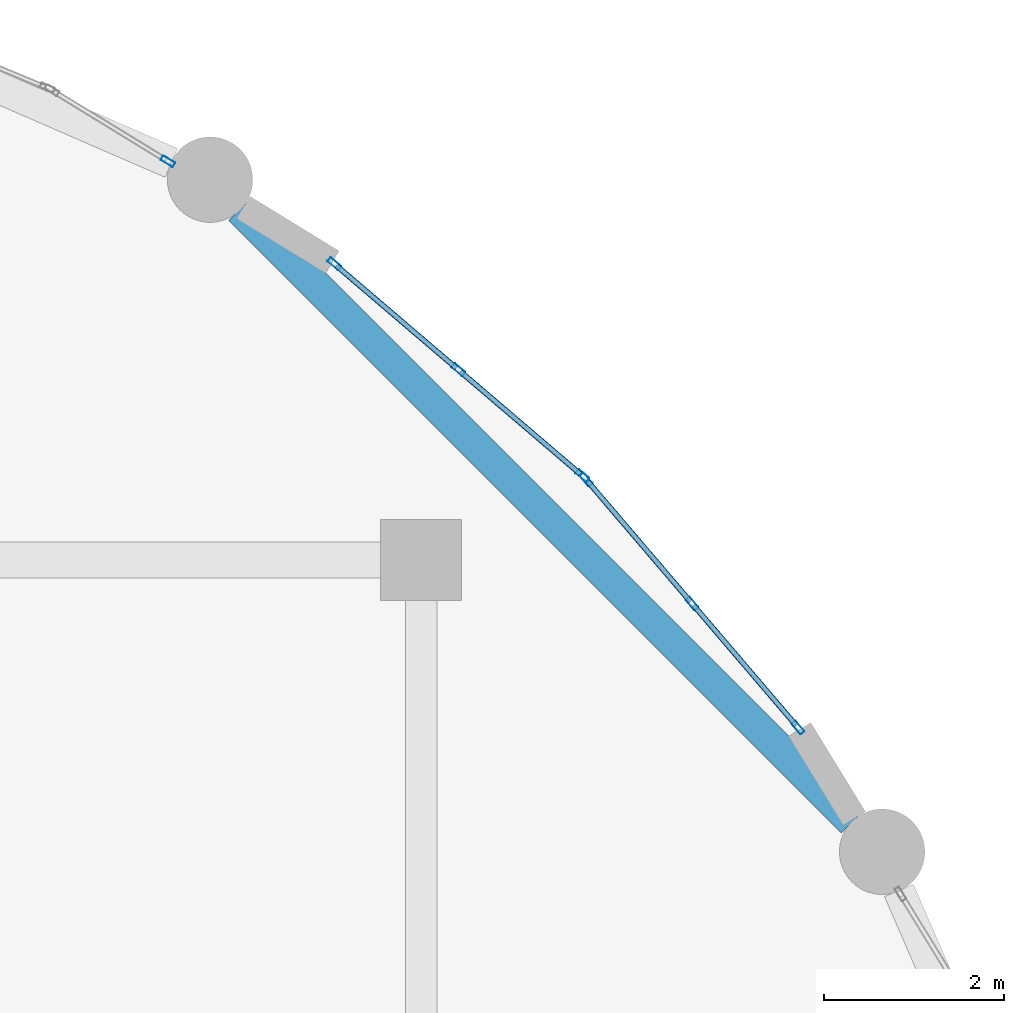
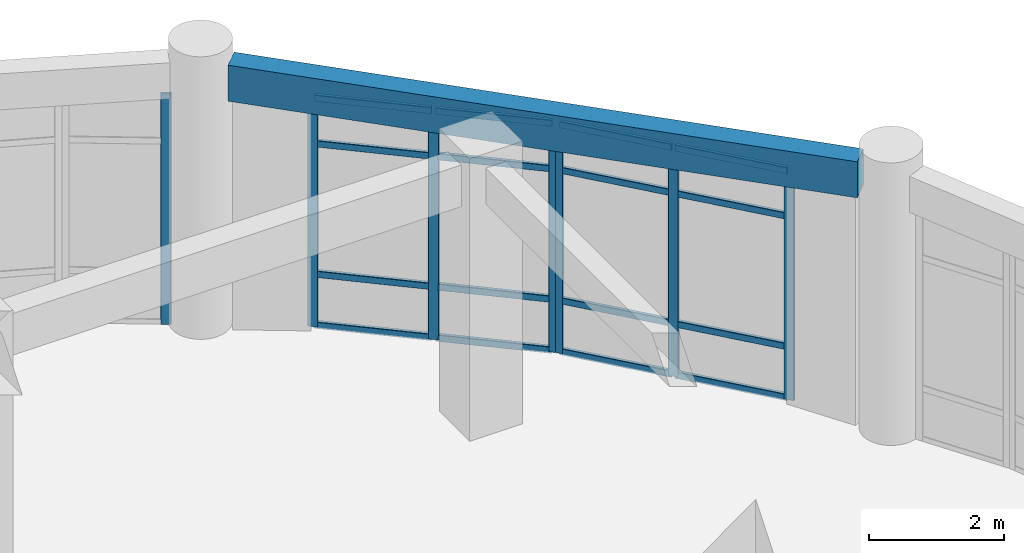
# One storey, part 82 of 120: 23 members, 1 beam, 3 elements without a shape of their own.
"""IFC4 building model written with IfcOpenShell, lengths in metres."""

from ifc_helpers import new_model, si_unit, derived_unit, direction, frame, origin, origin_2d, place, context, subcontext, project, spatial, rectangle, hollow_rectangle, extrude, material, layer, layer_set, material_profile, profile_set, type_object, element, aggregate, save


model = new_model("IFC4")

# Units and contexts
model_context = context("Model", 3, precision=1e-05, world=origin(), true_north=direction((0.0, 1.0)))
body_context = subcontext(model_context, "Body", "Model", "MODEL_VIEW")
ifc_project = project(units=[si_unit("LENGTHUNIT", "METRE"), si_unit("AREAUNIT", "SQUARE_METRE"), si_unit("VOLUMEUNIT", "CUBIC_METRE"), si_unit("PLANEANGLEUNIT", "RADIAN"), si_unit("MASSUNIT", "GRAM", prefix="KILO"), derived_unit("THERMALTRANSMITTANCEUNIT", [(si_unit("MASSUNIT", "GRAM", prefix="KILO"), 1), (si_unit("TIMEUNIT", "SECOND"), -3), (si_unit("THERMODYNAMICTEMPERATUREUNIT", "KELVIN"), -1)])], contexts=[model_context])

# Site, building, storey
site_placement = place(None, origin())
site = spatial("IfcSite", under=ifc_project, at=site_placement, CompositionType="ELEMENT")
building_placement = place(site_placement, origin())
building = spatial("IfcBuilding", under=site, at=building_placement, Name="Qinzheling Arcade Emporium", CompositionType="ELEMENT")
storey_placement = place(building_placement, frame((0.0, 0.0, 11.39990234375)))
storey = spatial("IfcBuildingStorey", under=building, at=storey_placement, Name="L03", CompositionType="ELEMENT", Elevation=11.39990234375)

# Curtain wall, member
ifc_material_1 = material(Name="Anodised aluminium and solar-control double glazing", Category="aluminium")
ifc_layer = layer(ifc_material_1, 0.159912109375, Name="Anodised aluminium and solar-control double glazing", Category="aluminium")
ifc_layer_set = layer_set([ifc_layer], Name="Anodised aluminium and solar-control double glazing")
curtain_wall_type = type_object("IfcCurtainWallType", Name="Curved Ribbon Sales Curtain Wall", PredefinedType="NOTDEFINED", material=ifc_layer_set)
curtain_wall_1_placement = place(storey_placement, origin())
curtain_wall_1 = element("IfcCurtainWall", 1, at=curtain_wall_1_placement, inside=storey, type_object=curtain_wall_type, Name="Curtain Wall CW-L03-185", PredefinedType="NOTDEFINED")
ifc_material_2 = material(Name="Anodised aluminium 6063-T6", Category="aluminium")
ifc_material_profile_1 = material_profile(ifc_material_2, hollow_rectangle(XDim=0.06005859375, YDim=0.159912109375, WallThickness=0.00390625, InnerFilletRadius=0.00390625, OuterFilletRadius=0.008056640625, at=origin_2d()), Name="RHS 160x60x4", Category="aluminium")
ifc_profile_set_1 = profile_set([ifc_material_profile_1], Name="Anodised aluminium 6063-T6")
member_type_1 = type_object("IfcMemberType", Name="Curtain Wall Mullion RHS160x60", PredefinedType="MULLION", material=ifc_profile_set_1)
member_1_placement = place(storey_placement, frame((136.38330078125, 111.233642578125, 0.0), z_axis=(0.0, 0.0, 1.0), x_axis=(0.522427757689, 0.852683550912, 0.0)))
member_1 = element("IfcMember", 2, at=member_1_placement, type_object=member_type_1, Name="CW02 mullion 2", PredefinedType="MULLION", context=body_context, shape_type="SweptSolid", body=[
    extrude(hollow_rectangle(XDim=0.06005859375, YDim=0.159912109375, WallThickness=0.00390625, InnerFilletRadius=0.00390625, OuterFilletRadius=0.008056640625, at=origin_2d()), origin(), (0.0, 0.0, 1.0), 4.155029296875),
])
aggregate(curtain_wall_1, [member_1])

# Curtain wall, members
curtain_wall_2_placement = place(storey_placement, origin())
curtain_wall_2 = element("IfcCurtainWall", 3, at=curtain_wall_2_placement, inside=storey, type_object=curtain_wall_type, Name="Curtain Wall CW-L03-186", PredefinedType="NOTDEFINED")
member_2_placement = place(storey_placement, frame((138.23583984375, 110.092529296875, 0.0), z_axis=(0.0, 0.0, 1.0), x_axis=(0.649472784461, 0.760384838253, 0.0)))
member_2 = element("IfcMember", 4, at=member_2_placement, type_object=member_type_1, Name="CW02 mullion 1", PredefinedType="MULLION", context=body_context, shape_type="SweptSolid", body=[
    extrude(hollow_rectangle(XDim=0.06005859375, YDim=0.159912109375, WallThickness=0.00390625, InnerFilletRadius=0.00390625, OuterFilletRadius=0.008056640625, at=origin_2d()), origin(), (0.0, 0.0, 1.0), 4.155029296875),
])
member_3_placement = place(storey_placement, frame((139.614990234375, 108.91455078125, 0.0), z_axis=(0.0, 0.0, 1.0), x_axis=(0.649472784461, 0.760384838253, 0.0)))
member_3 = element("IfcMember", 5, at=member_3_placement, type_object=member_type_1, Name="CW02 mullion 2", PredefinedType="MULLION", context=body_context, shape_type="SweptSolid", body=[
    extrude(hollow_rectangle(XDim=0.06005859375, YDim=0.159912109375, WallThickness=0.00390625, InnerFilletRadius=0.00390625, OuterFilletRadius=0.008056640625, at=origin_2d()), origin(), (0.0, 0.0, 1.0), 4.155029296875),
])
member_4_placement = place(storey_placement, frame((140.994140625, 107.736572265625, 0.0), z_axis=(0.0, 0.0, 1.0), x_axis=(0.649472784461, 0.760384838253, 0.0)))
member_4 = element("IfcMember", 6, at=member_4_placement, type_object=member_type_1, Name="CW02 mullion 3", PredefinedType="MULLION", context=body_context, shape_type="SweptSolid", body=[
    extrude(hollow_rectangle(XDim=0.06005859375, YDim=0.159912109375, WallThickness=0.00390625, InnerFilletRadius=0.00390625, OuterFilletRadius=0.008056640625, at=origin_2d()), origin(), (0.0, 0.0, 1.0), 4.155029296875),
])

curtain_wall_3_placement = place(storey_placement, origin())
curtain_wall_3 = element("IfcCurtainWall", 7, at=curtain_wall_3_placement, inside=storey, type_object=curtain_wall_type, Name="Curtain Wall CW-L03-187", PredefinedType="NOTDEFINED")
member_5_placement = place(storey_placement, frame((141.036376953125, 107.694091796875, 0.0), z_axis=(0.0, 0.0, 1.0), x_axis=(0.760384838253, 0.649472784461, 0.0)))
member_5 = element("IfcMember", 8, at=member_5_placement, type_object=member_type_1, Name="CW02 mullion 1", PredefinedType="MULLION", context=body_context, shape_type="SweptSolid", body=[
    extrude(hollow_rectangle(XDim=0.06005859375, YDim=0.159912109375, WallThickness=0.00390625, InnerFilletRadius=0.00390625, OuterFilletRadius=0.008056640625, at=origin_2d()), origin(), (0.0, 0.0, 1.0), 4.155029296875),
])
member_6_placement = place(storey_placement, frame((142.214599609375, 106.31494140625, 0.0), z_axis=(0.0, 0.0, 1.0), x_axis=(0.760384838253, 0.649472784461, 0.0)))
member_6 = element("IfcMember", 9, at=member_6_placement, type_object=member_type_1, Name="CW02 mullion 2", PredefinedType="MULLION", context=body_context, shape_type="SweptSolid", body=[
    extrude(hollow_rectangle(XDim=0.06005859375, YDim=0.159912109375, WallThickness=0.00390625, InnerFilletRadius=0.00390625, OuterFilletRadius=0.008056640625, at=origin_2d()), origin(), (0.0, 0.0, 1.0), 4.155029296875),
])
member_7_placement = place(storey_placement, frame((143.392578125, 104.935791015625, 0.0), z_axis=(0.0, 0.0, 1.0), x_axis=(0.760384838253, 0.649472784461, 0.0)))
member_7 = element("IfcMember", 10, at=member_7_placement, type_object=member_type_1, Name="CW02 mullion 3", PredefinedType="MULLION", context=body_context, shape_type="SweptSolid", body=[
    extrude(hollow_rectangle(XDim=0.06005859375, YDim=0.159912109375, WallThickness=0.00390625, InnerFilletRadius=0.00390625, OuterFilletRadius=0.008056640625, at=origin_2d()), origin(), (0.0, 0.0, 1.0), 4.155029296875),
])

# Member
ifc_material_profile_2 = material_profile(ifc_material_2, hollow_rectangle(XDim=0.06005859375, YDim=0.1201171875, WallThickness=0.00390625, InnerFilletRadius=0.00390625, OuterFilletRadius=0.008056640625, at=origin_2d()), Name="RHS 120x60x4", Category="aluminium")
ifc_profile_set_2 = profile_set([ifc_material_profile_2], Name="Anodised aluminium 6063-T6")
member_type_2 = type_object("IfcMemberType", Name="Curtain Wall Transom RHS120x60", PredefinedType="USERDEFINED", material=ifc_profile_set_2)
member_8_placement = place(storey_placement, frame((138.258544921875, 110.072998046875, 0.030029296875), z_axis=(0.760463899303, -0.649380210552, 0.0), x_axis=(0.649380210552, 0.760463899303, 0.0)))
member_8 = element("IfcMember", 11, at=member_8_placement, type_object=member_type_2, Name="CW02 transom 1.1", ObjectType="TRANSOM", PredefinedType="USERDEFINED", context=body_context, shape_type="SweptSolid", body=[
    extrude(hollow_rectangle(XDim=0.06005859375, YDim=0.1201171875, WallThickness=0.00390625, InnerFilletRadius=0.00390625, OuterFilletRadius=0.008056640625, at=origin_2d()), origin(), (0.0, 0.0, 1.0), 1.75390625),
])

member_9_placement = place(storey_placement, frame((138.258544921875, 110.072998046875, 0.9501953125), z_axis=(0.760463899303, -0.649380210552, 0.0), x_axis=(0.649380210552, 0.760463899303, 0.0)))
member_9 = element("IfcMember", 12, at=member_9_placement, type_object=member_type_2, Name="CW02 transom 1.2", ObjectType="TRANSOM", PredefinedType="USERDEFINED", context=body_context, shape_type="SweptSolid", body=[
    extrude(hollow_rectangle(XDim=0.06005859375, YDim=0.1201171875, WallThickness=0.00390625, InnerFilletRadius=0.00390625, OuterFilletRadius=0.008056640625, at=origin_2d()), origin(), (0.0, 0.0, 1.0), 1.75390625),
])

member_10_placement = place(storey_placement, frame((138.258544921875, 110.072998046875, 3.30517578125), z_axis=(0.760463899303, -0.649380210552, 0.0), x_axis=(0.649380210552, 0.760463899303, 0.0)))
member_10 = element("IfcMember", 13, at=member_10_placement, type_object=member_type_2, Name="CW02 transom 1.3", ObjectType="TRANSOM", PredefinedType="USERDEFINED", context=body_context, shape_type="SweptSolid", body=[
    extrude(hollow_rectangle(XDim=0.06005859375, YDim=0.1201171875, WallThickness=0.00390625, InnerFilletRadius=0.00390625, OuterFilletRadius=0.008056640625, at=origin_2d()), origin(), (0.0, 0.0, 1.0), 1.75390625),
])

member_11_placement = place(storey_placement, frame((138.258544921875, 110.072998046875, 4.125), z_axis=(0.760463899303, -0.649380210552, 0.0), x_axis=(0.649380210552, 0.760463899303, 0.0)))
member_11 = element("IfcMember", 14, at=member_11_placement, type_object=member_type_2, Name="CW02 transom 1.4", ObjectType="TRANSOM", PredefinedType="USERDEFINED", context=body_context, shape_type="SweptSolid", body=[
    extrude(hollow_rectangle(XDim=0.06005859375, YDim=0.1201171875, WallThickness=0.00390625, InnerFilletRadius=0.00390625, OuterFilletRadius=0.008056640625, at=origin_2d()), origin(), (0.0, 0.0, 1.0), 1.75390625),
])

member_12_placement = place(storey_placement, frame((139.6376953125, 108.89501953125, 0.030029296875), z_axis=(0.760395158799, -0.649460701255, 0.0), x_axis=(0.649460701255, 0.760395158799, 0.0)))
member_12 = element("IfcMember", 15, at=member_12_placement, type_object=member_type_2, Name="CW02 transom 2.1", ObjectType="TRANSOM", PredefinedType="USERDEFINED", context=body_context, shape_type="SweptSolid", body=[
    extrude(hollow_rectangle(XDim=0.06005859375, YDim=0.1201171875, WallThickness=0.00390625, InnerFilletRadius=0.00390625, OuterFilletRadius=0.008056640625, at=origin_2d()), origin(), (0.0, 0.0, 1.0), 1.75390625),
])

member_13_placement = place(storey_placement, frame((139.6376953125, 108.89501953125, 0.9501953125), z_axis=(0.760395158799, -0.649460701255, 0.0), x_axis=(0.649460701255, 0.760395158799, 0.0)))
member_13 = element("IfcMember", 16, at=member_13_placement, type_object=member_type_2, Name="CW02 transom 2.2", ObjectType="TRANSOM", PredefinedType="USERDEFINED", context=body_context, shape_type="SweptSolid", body=[
    extrude(hollow_rectangle(XDim=0.06005859375, YDim=0.1201171875, WallThickness=0.00390625, InnerFilletRadius=0.00390625, OuterFilletRadius=0.008056640625, at=origin_2d()), origin(), (0.0, 0.0, 1.0), 1.75390625),
])

member_14_placement = place(storey_placement, frame((139.6376953125, 108.89501953125, 3.30517578125), z_axis=(0.760395158799, -0.649460701255, 0.0), x_axis=(0.649460701255, 0.760395158799, 0.0)))
member_14 = element("IfcMember", 17, at=member_14_placement, type_object=member_type_2, Name="CW02 transom 2.3", ObjectType="TRANSOM", PredefinedType="USERDEFINED", context=body_context, shape_type="SweptSolid", body=[
    extrude(hollow_rectangle(XDim=0.06005859375, YDim=0.1201171875, WallThickness=0.00390625, InnerFilletRadius=0.00390625, OuterFilletRadius=0.008056640625, at=origin_2d()), origin(), (0.0, 0.0, 1.0), 1.75390625),
])

member_15_placement = place(storey_placement, frame((139.6376953125, 108.89501953125, 4.125), z_axis=(0.760395158799, -0.649460701255, 0.0), x_axis=(0.649460701255, 0.760395158799, 0.0)))
member_15 = element("IfcMember", 18, at=member_15_placement, type_object=member_type_2, Name="CW02 transom 2.4", ObjectType="TRANSOM", PredefinedType="USERDEFINED", context=body_context, shape_type="SweptSolid", body=[
    extrude(hollow_rectangle(XDim=0.06005859375, YDim=0.1201171875, WallThickness=0.00390625, InnerFilletRadius=0.00390625, OuterFilletRadius=0.008056640625, at=origin_2d()), origin(), (0.0, 0.0, 1.0), 1.75390625),
])

aggregate(curtain_wall_2, [member_2, member_3, member_4, member_8, member_9, member_10, member_11, member_12, member_13, member_14, member_15])

member_16_placement = place(storey_placement, frame((141.055908203125, 107.67138671875, 0.030029296875), z_axis=(0.649529444426, -0.760336439232, 0.0), x_axis=(0.760336439232, 0.649529444426, 0.0)))
member_16 = element("IfcMember", 19, at=member_16_placement, type_object=member_type_2, Name="CW02 transom 1.1", ObjectType="TRANSOM", PredefinedType="USERDEFINED", context=body_context, shape_type="SweptSolid", body=[
    extrude(hollow_rectangle(XDim=0.06005859375, YDim=0.1201171875, WallThickness=0.00390625, InnerFilletRadius=0.00390625, OuterFilletRadius=0.008056640625, at=origin_2d()), origin(), (0.0, 0.0, 1.0), 1.75390625),
])

member_17_placement = place(storey_placement, frame((141.055908203125, 107.67138671875, 0.9501953125), z_axis=(0.649529444426, -0.760336439232, 0.0), x_axis=(0.760336439232, 0.649529444426, 0.0)))
member_17 = element("IfcMember", 20, at=member_17_placement, type_object=member_type_2, Name="CW02 transom 1.2", ObjectType="TRANSOM", PredefinedType="USERDEFINED", context=body_context, shape_type="SweptSolid", body=[
    extrude(hollow_rectangle(XDim=0.06005859375, YDim=0.1201171875, WallThickness=0.00390625, InnerFilletRadius=0.00390625, OuterFilletRadius=0.008056640625, at=origin_2d()), origin(), (0.0, 0.0, 1.0), 1.75390625),
])

member_18_placement = place(storey_placement, frame((141.055908203125, 107.67138671875, 3.30517578125), z_axis=(0.649529444426, -0.760336439232, 0.0), x_axis=(0.760336439232, 0.649529444426, 0.0)))
member_18 = element("IfcMember", 21, at=member_18_placement, type_object=member_type_2, Name="CW02 transom 1.3", ObjectType="TRANSOM", PredefinedType="USERDEFINED", context=body_context, shape_type="SweptSolid", body=[
    extrude(hollow_rectangle(XDim=0.06005859375, YDim=0.1201171875, WallThickness=0.00390625, InnerFilletRadius=0.00390625, OuterFilletRadius=0.008056640625, at=origin_2d()), origin(), (0.0, 0.0, 1.0), 1.75390625),
])

member_19_placement = place(storey_placement, frame((141.055908203125, 107.67138671875, 4.125), z_axis=(0.649529444426, -0.760336439232, 0.0), x_axis=(0.760336439232, 0.649529444426, 0.0)))
member_19 = element("IfcMember", 22, at=member_19_placement, type_object=member_type_2, Name="CW02 transom 1.4", ObjectType="TRANSOM", PredefinedType="USERDEFINED", context=body_context, shape_type="SweptSolid", body=[
    extrude(hollow_rectangle(XDim=0.06005859375, YDim=0.1201171875, WallThickness=0.00390625, InnerFilletRadius=0.00390625, OuterFilletRadius=0.008056640625, at=origin_2d()), origin(), (0.0, 0.0, 1.0), 1.75390625),
])

member_20_placement = place(storey_placement, frame((142.23388671875, 106.292236328125, 0.030029296875), z_axis=(0.649529444426, -0.760336439232, 0.0), x_axis=(0.760336439232, 0.649529444426, 0.0)))
member_20 = element("IfcMember", 23, at=member_20_placement, type_object=member_type_2, Name="CW02 transom 2.1", ObjectType="TRANSOM", PredefinedType="USERDEFINED", context=body_context, shape_type="SweptSolid", body=[
    extrude(hollow_rectangle(XDim=0.06005859375, YDim=0.1201171875, WallThickness=0.00390625, InnerFilletRadius=0.00390625, OuterFilletRadius=0.008056640625, at=origin_2d()), origin(), (0.0, 0.0, 1.0), 1.75390625),
])

member_21_placement = place(storey_placement, frame((142.23388671875, 106.292236328125, 0.9501953125), z_axis=(0.649529444426, -0.760336439232, 0.0), x_axis=(0.760336439232, 0.649529444426, 0.0)))
member_21 = element("IfcMember", 24, at=member_21_placement, type_object=member_type_2, Name="CW02 transom 2.2", ObjectType="TRANSOM", PredefinedType="USERDEFINED", context=body_context, shape_type="SweptSolid", body=[
    extrude(hollow_rectangle(XDim=0.06005859375, YDim=0.1201171875, WallThickness=0.00390625, InnerFilletRadius=0.00390625, OuterFilletRadius=0.008056640625, at=origin_2d()), origin(), (0.0, 0.0, 1.0), 1.75390625),
])

member_22_placement = place(storey_placement, frame((142.23388671875, 106.292236328125, 3.30517578125), z_axis=(0.649529444426, -0.760336439232, 0.0), x_axis=(0.760336439232, 0.649529444426, 0.0)))
member_22 = element("IfcMember", 25, at=member_22_placement, type_object=member_type_2, Name="CW02 transom 2.3", ObjectType="TRANSOM", PredefinedType="USERDEFINED", context=body_context, shape_type="SweptSolid", body=[
    extrude(hollow_rectangle(XDim=0.06005859375, YDim=0.1201171875, WallThickness=0.00390625, InnerFilletRadius=0.00390625, OuterFilletRadius=0.008056640625, at=origin_2d()), origin(), (0.0, 0.0, 1.0), 1.75390625),
])

member_23_placement = place(storey_placement, frame((142.23388671875, 106.292236328125, 4.125), z_axis=(0.649529444426, -0.760336439232, 0.0), x_axis=(0.760336439232, 0.649529444426, 0.0)))
member_23 = element("IfcMember", 26, at=member_23_placement, type_object=member_type_2, Name="CW02 transom 2.4", ObjectType="TRANSOM", PredefinedType="USERDEFINED", context=body_context, shape_type="SweptSolid", body=[
    extrude(hollow_rectangle(XDim=0.06005859375, YDim=0.1201171875, WallThickness=0.00390625, InnerFilletRadius=0.00390625, OuterFilletRadius=0.008056640625, at=origin_2d()), origin(), (0.0, 0.0, 1.0), 1.75390625),
])

aggregate(curtain_wall_3, [member_5, member_6, member_7, member_16, member_17, member_18, member_19, member_20, member_21, member_22, member_23])

# Beam
ifc_material_3 = material(Name="Concrete C40", Category="concrete")
ifc_material_profile_3 = material_profile(ifc_material_3, rectangle(XDim=0.35009765625, YDim=0.64990234375, at=origin_2d()), Name="RC 350x650", Category="concrete")
ifc_profile_set_3 = profile_set([ifc_material_profile_3], Name="Concrete C40")
beam_type = type_object("IfcBeamType", Name="RC Spandrel Edge Beam 350x650 C40", PredefinedType="SPANDREL", material=ifc_profile_set_3)
beam_placement = place(storey_placement, frame((143.9970703125, 103.885009765625, 4.4951171875), z_axis=(-0.707106781187, 0.707106781187, 0.0), x_axis=(-0.707106781187, -0.707106781187, 0.0)))
element("IfcBeam", 27, at=beam_placement, inside=storey, type_object=beam_type, Name="Curved Arcade Spandrel BM-L03-CV6-B03", PredefinedType="SPANDREL", context=body_context, shape_type="SweptSolid", body=[
    extrude(rectangle(XDim=0.35009765625, YDim=0.64990234375, at=origin_2d()), origin(), (0.0, 0.0, 1.0), 9.633544921875),
])

save(model, "model.ifc")
